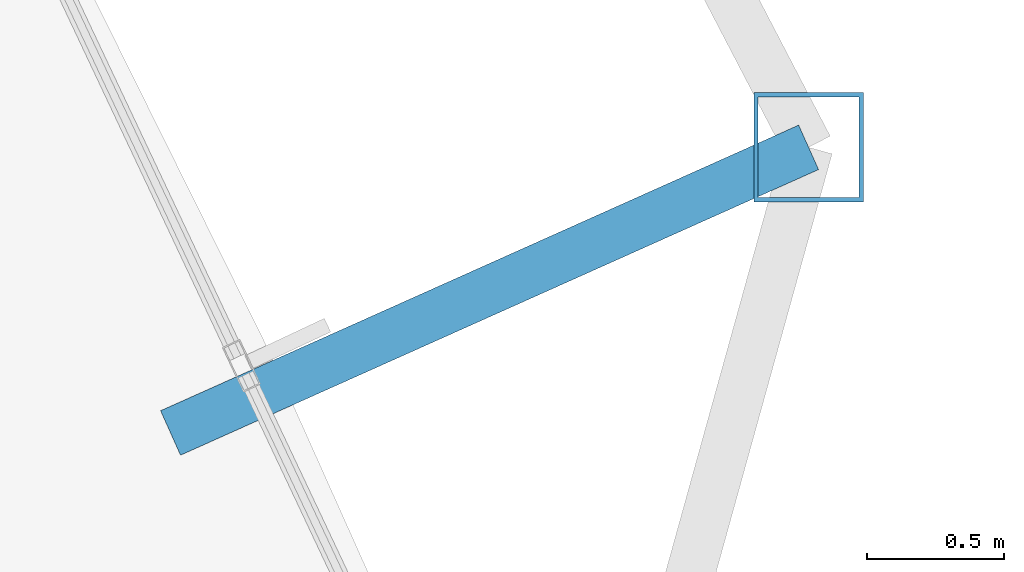
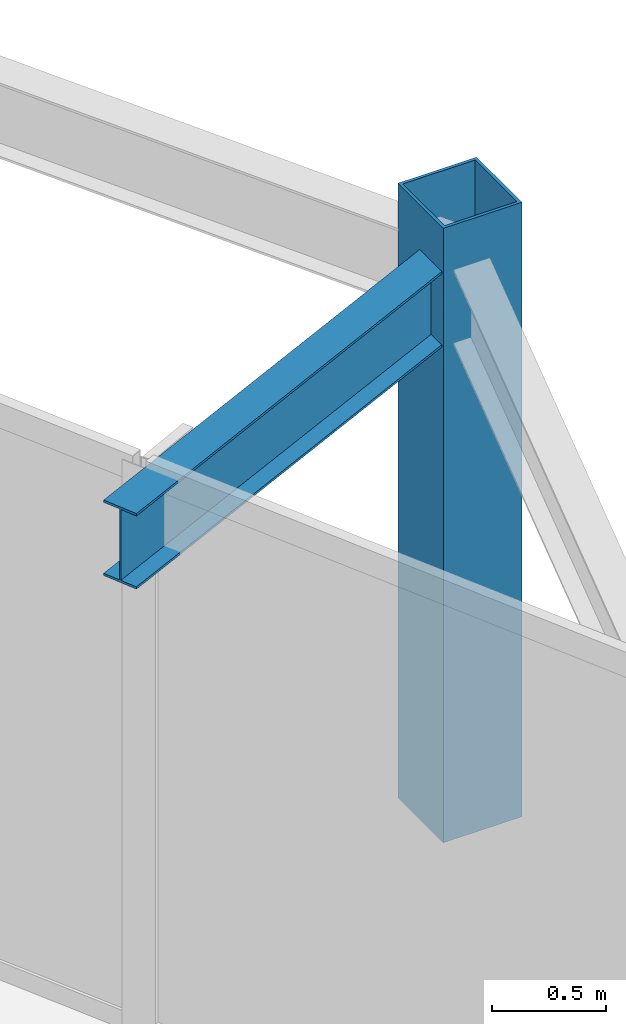
# One storey, part 19 of 33: 1 beam, 1 member.
"""IFC4 building model written with IfcOpenShell, lengths in metres."""

import ifcopenshell
import ifcopenshell.guid

model = None  # the IFC model being written
_history = None  # IfcOwnerHistory: only IFC2X3 demands one
_inside = {}  # id of a spatial element -> (the spatial element, [elements in it])
_under = {}  # id of a project, library or spatial element -> (it, [spatial elements below it])
_declared = {}  # id of a project -> (the project, [libraries it declares])
_typed = {}  # id of a type object -> (the type object, [elements of that type])
_made_of = {}  # id of a material, layer set ... -> (it, [elements and type objects made of it])


def new_model(schema):
    """Start an empty IFC model of exactly this schema.

    Asked for "IFC4X3", IfcOpenShell would pick the latest addendum, in which some entities
    have other attributes; the version numbers below select the first issue.
    IFC2X3 requires an IfcOwnerHistory on every rooted entity: one is made here for all.
    """
    global model, _history
    if schema == "IFC4X3":
        model = ifcopenshell.file(schema_version=(4, 3, 0, 0))
    else:
        model = ifcopenshell.file(schema=schema)
    _inside.clear()
    _under.clear()
    _declared.clear()
    _typed.clear()
    _made_of.clear()
    _history = None
    if model.schema == "IFC2X3":
        org = make("IfcOrganization", Name="unknown")
        user = make(
            "IfcPersonAndOrganization",
            ThePerson=make("IfcPerson", FamilyName="unknown"),
            TheOrganization=org,
        )
        app = make(
            "IfcApplication",
            ApplicationDeveloper=org,
            Version="unknown",
            ApplicationFullName="unknown",
            ApplicationIdentifier="unknown",
        )
        _history = make(
            "IfcOwnerHistory",
            OwningUser=user,
            OwningApplication=app,
            ChangeAction="ADDED",
            CreationDate=0,
        )
    return model


def make(cls, **values):
    """One entity of the class cls with the attributes given. An attribute that is None is left unset."""
    return model.create_entity(
        cls, **{name: value for name, value in values.items() if value is not None}
    )


def rooted(cls, **values):
    """An entity with a GlobalId (a new one), such as an element, a storey or a relation."""
    return make(cls, GlobalId=ifcopenshell.guid.new(), OwnerHistory=_history, **values)


def si_unit(unit_type, name, prefix=None):
    """IfcSIUnit, for example si_unit("LENGTHUNIT", "METRE", prefix="MILLI")."""
    return make("IfcSIUnit", UnitType=unit_type, Prefix=prefix, Name=name)


def assignment(units):
    """IfcUnitAssignment: the units of a project."""
    return None if units is None else make("IfcUnitAssignment", Units=units)


def point(xyz):
    """IfcCartesianPoint."""
    return None if xyz is None else make("IfcCartesianPoint", Coordinates=xyz)


def direction(xyz):
    """IfcDirection."""
    return None if xyz is None else make("IfcDirection", DirectionRatios=xyz)


def frame(location, z_axis=None, x_axis=None):
    """IfcAxis2Placement3D, a coordinate frame: its origin and axes. An axis left out is left unset."""
    return make(
        "IfcAxis2Placement3D",
        Location=point(location),
        Axis=direction(z_axis),
        RefDirection=direction(x_axis),
    )


def frame_2d(location, x_axis=None):
    """IfcAxis2Placement2D, a coordinate frame in the plane: its origin and x axis."""
    return make(
        "IfcAxis2Placement2D", Location=point(location), RefDirection=direction(x_axis)
    )


def origin():
    """The frame at (0, 0, 0) with its axes left unset."""
    return frame((0.0, 0.0, 0.0))


def origin_2d():
    """The frame at (0, 0) in the plane with its x axis left unset."""
    return frame_2d((0.0, 0.0))


def place(relative_to, where):
    """IfcLocalPlacement: puts the frame where relative to a parent placement (None: the world)."""
    return make(
        "IfcLocalPlacement", PlacementRelTo=relative_to, RelativePlacement=where
    )


def context(
    kind, dimensions, precision=None, world=None, true_north=None, identifier=None
):
    """IfcGeometricRepresentationContext, for example the 3D "Model" context."""
    return make(
        "IfcGeometricRepresentationContext",
        ContextIdentifier=identifier,
        ContextType=kind,
        CoordinateSpaceDimension=dimensions,
        Precision=precision,
        WorldCoordinateSystem=world,
        TrueNorth=true_north,
    )


def subcontext(parent, identifier, kind, view, scale=None):
    """IfcGeometricRepresentationSubContext, for example "Body" below "Model"."""
    return make(
        "IfcGeometricRepresentationSubContext",
        ContextIdentifier=identifier,
        ContextType=kind,
        ParentContext=parent,
        TargetScale=scale,
        TargetView=view,
    )


def project(units=None, contexts=None):
    """IfcProject with its units and contexts."""
    return rooted(
        "IfcProject",
        Name="project",
        RepresentationContexts=contexts,
        UnitsInContext=assignment(units),
    )


def spatial(cls, under=None, at=None, **own):
    """A site, building, storey or space (cls), placed at a placement, below another one or the project."""
    s = rooted(cls, ObjectPlacement=at, **own)
    if under is not None:
        _under.setdefault(under.id(), (under, []))[1].append(s)
    return s


def profile(cls, at=None, kind="AREA", **sizes):
    """A parametric profile (cls). Its sizes go by their IFC names, for example OverallWidth=200.0."""
    return make(cls, ProfileType=kind, Position=at, **sizes)


def hollow_rectangle(**sizes):
    """IfcRectangleHollowProfileDef."""
    return profile("IfcRectangleHollowProfileDef", **sizes)


def i_section(**sizes):
    """IfcIShapeProfileDef."""
    return profile("IfcIShapeProfileDef", **sizes)


def extrude(swept, where, along, depth):
    """IfcExtrudedAreaSolid: the profile swept, set in the frame where, extruded along a direction by depth."""
    return make(
        "IfcExtrudedAreaSolid",
        SweptArea=swept,
        Position=where,
        ExtrudedDirection=direction(along),
        Depth=depth,
    )


def shape(context_of_items, identifier, shape_type, items):
    """IfcShapeRepresentation: the items that make up one representation, for example the "Body"."""
    return make(
        "IfcShapeRepresentation",
        ContextOfItems=context_of_items,
        RepresentationIdentifier=identifier,
        RepresentationType=shape_type,
        Items=items,
    )


def material(Name=None, Category=None):
    """IfcMaterial."""
    return make("IfcMaterial", Name=Name, Category=Category)


def material_profile(
    of_material, cross_section, Name=None, Category=None, Priority=None
):
    """IfcMaterialProfile: a cross section and its material."""
    return make(
        "IfcMaterialProfile",
        Name=Name,
        Material=of_material,
        Profile=cross_section,
        Priority=Priority,
        Category=Category,
    )


def profile_set(profiles, Name=None, composite=None):
    """IfcMaterialProfileSet."""
    return make(
        "IfcMaterialProfileSet",
        Name=Name,
        MaterialProfiles=profiles,
        CompositeProfile=composite,
    )


def made_of(thing, what):
    """Note that an element or type object is made of a material, layer set ...; save() writes the relation."""
    if what is not None:
        _made_of.setdefault(what.id(), (what, []))[1].append(thing)
    return thing


def type_object(cls, material=None, **own):
    """A type object (cls), such as IfcWallType, which elements share."""
    return made_of(rooted(cls, **own), material)


def element(
    cls,
    number,
    at=None,
    inside=None,
    cuts=None,
    type_object=None,
    material=None,
    context=None,
    identifier="Body",
    shape_type=None,
    held_by="IfcProductDefinitionShape",
    body=None,
    shapes=None,
    **own,
):
    """One element of the class cls, such as IfcWall. Its Tag is "e" and its number.

    at: its placement. inside: the storey or other place that contains it. cuts: it is an
    opening in that element (IfcRelVoidsElement). A single representation is given by context,
    identifier, shape_type and body (its items); several are given by shapes. held_by: the class
    of the entity that holds the representations. save() writes the other relations.
    """
    e = rooted(cls, Tag="e%d" % number, ObjectPlacement=at, **own)
    if body is not None:
        shapes = [shape(context, identifier, shape_type, body)]
    if shapes is not None:
        e.Representation = make(held_by, Representations=shapes)
    if inside is not None:
        _inside.setdefault(inside.id(), (inside, []))[1].append(e)
    if cuts is not None:
        rooted(
            "IfcRelVoidsElement", RelatingBuildingElement=cuts, RelatedOpeningElement=e
        )
    if type_object is not None:
        _typed.setdefault(type_object.id(), (type_object, []))[1].append(e)
    return made_of(e, material)


def aggregate(whole, parts):
    """IfcRelAggregates: a whole, such as a stair, and the parts it consists of."""
    return rooted("IfcRelAggregates", RelatingObject=whole, RelatedObjects=parts)


def save(model, path):
    """Write the relations noted so far, then the file.

    IfcRelAggregates (storeys below a building ...), IfcRelContainedInSpatialStructure (elements
    in a storey), IfcRelDefinesByType, IfcRelAssociatesMaterial and IfcRelDeclares: one each for
    every whole, place, type object, material and project.
    """
    for whole, parts in _under.values():
        aggregate(whole, parts)
    for where, things in _inside.values():
        rooted(
            "IfcRelContainedInSpatialStructure",
            RelatedElements=things,
            RelatingStructure=where,
        )
    for kind, things in _typed.values():
        rooted("IfcRelDefinesByType", RelatedObjects=things, RelatingType=kind)
    for what, things in _made_of.values():
        rooted("IfcRelAssociatesMaterial", RelatedObjects=things, RelatingMaterial=what)
    for by, libraries in _declared.values():
        rooted("IfcRelDeclares", RelatingContext=by, RelatedDefinitions=libraries)
    model.write(path)


model = new_model("IFC4")

# Units and contexts
model_context = context("Model", 3, precision=1e-05, world=origin(), true_north=direction((0.0, 1.0)))
body_context = subcontext(model_context, "Body", "Model", "MODEL_VIEW")
ifc_project = project(units=[si_unit("LENGTHUNIT", "METRE"), si_unit("AREAUNIT", "SQUARE_METRE"), si_unit("VOLUMEUNIT", "CUBIC_METRE"), si_unit("PLANEANGLEUNIT", "RADIAN"), si_unit("MASSUNIT", "GRAM", prefix="KILO")], contexts=[model_context])

# Site, building, storey
site_placement = place(None, origin())
site = spatial("IfcSite", under=ifc_project, at=site_placement, CompositionType="ELEMENT")
building_placement = place(site_placement, origin())
building = spatial("IfcBuilding", under=site, at=building_placement, Name="Orvanel Arch Residences", CompositionType="ELEMENT")
storey_placement = place(building_placement, frame((0.0, 0.0, 119.89990234375)))
storey = spatial("IfcBuildingStorey", under=building, at=storey_placement, Name="L33", CompositionType="ELEMENT", Elevation=119.89990234375)

# Beam
ifc_material_1 = material(Name="Structural steel AS/NZS 3679.1 Grade 300 (300 MPa)", Category="steel")
ifc_material_profile_1 = material_profile(ifc_material_1, i_section(OverallWidth=0.177978515625, OverallDepth=0.406005859375, WebThickness=0.0078125, FlangeThickness=0.0126953125, at=origin_2d()), Name="410UB59.7")
ifc_profile_set_1 = profile_set([ifc_material_profile_1], Name="Structural steel AS/NZS 3679.1 Grade 300 (300 MPa)")
beam_type = type_object("IfcBeamType", Name="OB-410UB-EXT", PredefinedType="SPANDREL", material=ifc_profile_set_1)
beam_placement = place(storey_placement, frame((53.987060546875, 19.139892578125, 2.857177734375), z_axis=(0.912734660122, 0.408552860976, 0.0), x_axis=(-0.408552860976, 0.912734660122, 0.0)))
element("IfcBeam", 1, at=beam_placement, inside=storey, type_object=beam_type, Name="L33 Outer Frame Radial Tie Beam 09", PredefinedType="SPANDREL", context=body_context, shape_type="SweptSolid", body=[
    extrude(i_section(OverallWidth=0.177978515625, OverallDepth=0.406005859375, WebThickness=0.0078125, FlangeThickness=0.0126953125, at=origin_2d()), origin(), (0.0, 0.0, 1.0), 2.550537109375),
])

# Member
ifc_material_2 = material(Name="Structural steel AS/NZS 1163 C450L0 (Grade 450)", Category="steel")
ifc_material_profile_2 = material_profile(ifc_material_2, hollow_rectangle(XDim=0.39990234375, YDim=0.39990234375, WallThickness=0.01611328125, at=origin_2d()), Name="SHS400x400x16")
ifc_profile_set_2 = profile_set([ifc_material_profile_2], Name="Structural steel AS/NZS 1163 C450L0 (Grade 450)")
member_type = type_object("IfcMemberType", Name="ST-400SHS-EXT", PredefinedType="STRUT", material=ifc_profile_set_2)
member_placement = place(storey_placement, frame((56.31494140625, 20.181884765625, 0.0), z_axis=(0.0, 0.0, 1.0), x_axis=(1.0, 0.0, 0.0)))
element("IfcMember", 2, at=member_placement, inside=storey, type_object=member_type, Name="L33 Outer Perimeter Frame Post 09", PredefinedType="STRUT", context=body_context, shape_type="SweptSolid", body=[
    extrude(hollow_rectangle(XDim=0.39990234375, YDim=0.39990234375, WallThickness=0.01611328125, at=origin_2d()), origin(), (0.0, 0.0, 1.0), 3.300048828125),
])

save(model, "model.ifc")
